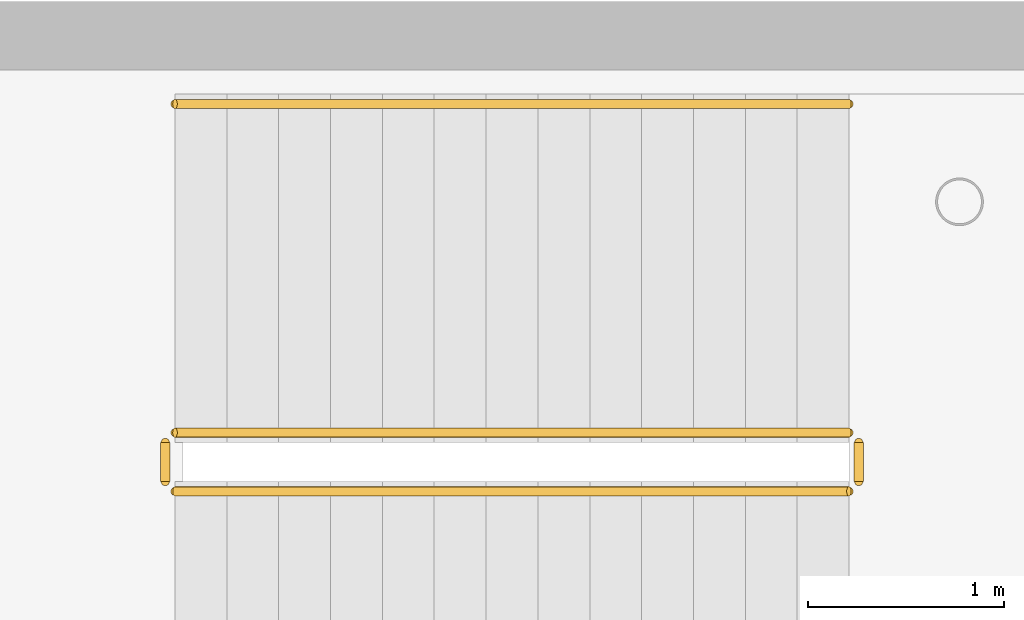
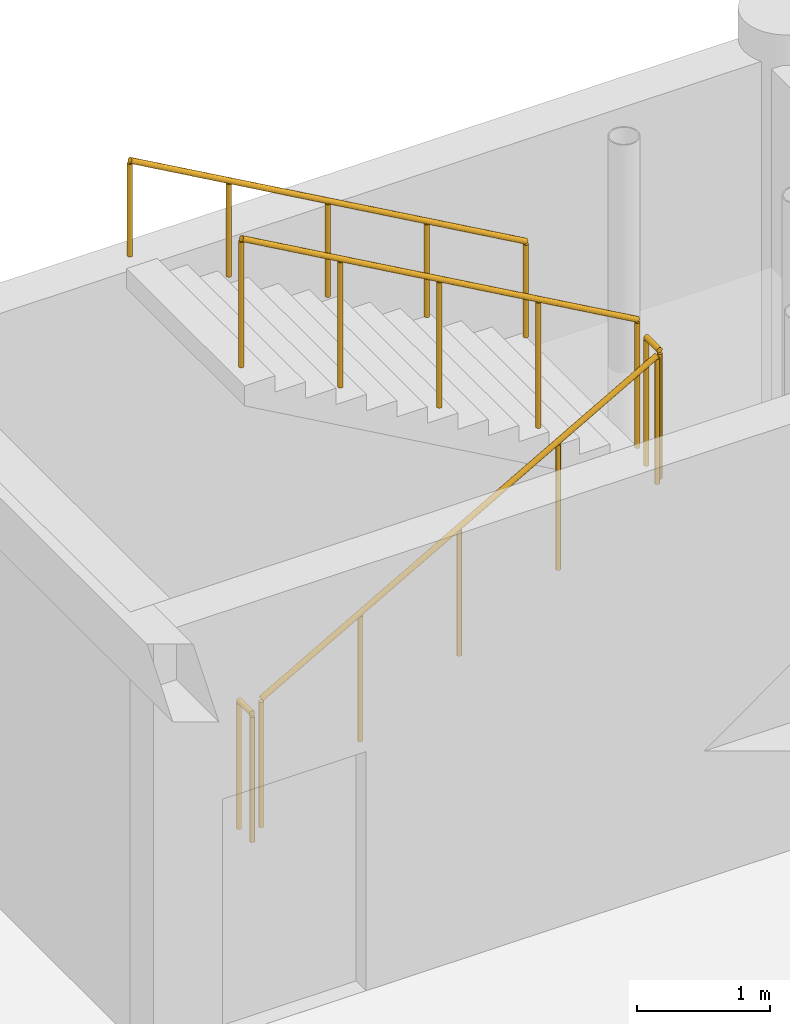
# One storey, part 191 of 195: 5 railings.
"""IFC4 building model written with IfcOpenShell, lengths in metres."""

from ifc_helpers import new_model, si_unit, direction, frame, origin, origin_2d, place, context, subcontext, project, spatial, circle, extrude, material, type_object, element, save


model = new_model("IFC4")

# Units and contexts
model_context = context("Model", 3, precision=1e-05, world=origin(), true_north=direction((0.0, 1.0)))
body_context = subcontext(model_context, "Body", "Model", "MODEL_VIEW")
ifc_project = project(units=[si_unit("LENGTHUNIT", "METRE"), si_unit("AREAUNIT", "SQUARE_METRE"), si_unit("VOLUMEUNIT", "CUBIC_METRE"), si_unit("PLANEANGLEUNIT", "RADIAN"), si_unit("MASSUNIT", "GRAM", prefix="KILO")], contexts=[model_context])

# Site, building, storey
site_placement = place(None, origin())
site = spatial("IfcSite", under=ifc_project, at=site_placement, CompositionType="ELEMENT")
building_placement = place(site_placement, origin())
building = spatial("IfcBuilding", under=site, at=building_placement, Name="Kharva Crest Polytechnic", CompositionType="ELEMENT")
storey_placement = place(building_placement, frame((0.0, 0.0, 9.0)))
storey = spatial("IfcBuildingStorey", under=building, at=storey_placement, Name="L02", CompositionType="ELEMENT", Elevation=9.0)

# Railings
ifc_material_1 = material(Name="Anodised aluminium", Category="aluminium")
railing_type_1 = type_object("IfcRailingType", Name="RL-STAIR-GUARD-1200", PredefinedType="GUARDRAIL", material=ifc_material_1)
railing_1_placement = place(storey_placement, frame((106.090087890625, 119.669921875, 0.14990234375)))
element("IfcRailing", 1, at=railing_1_placement, inside=storey, type_object=railing_type_1, Name="L02 ST-04 stair guard 1", PredefinedType="GUARDRAIL", context=body_context, shape_type="SweptSolid", body=[
    extrude(circle(Radius=0.02392578125, at=origin_2d()), frame((0.0, 0.0, 1.17578125), z_axis=(0.870224926921, 0.0, 0.492654621987), x_axis=(0.0, 1.0, 0.0)), (0.0, 0.0, 1.0), 3.95849609375),
    extrude(circle(Radius=0.02099609375, at=origin_2d()), origin(), (0.0, 0.0, 1.0), 1.15185546875),
    extrude(circle(Radius=0.02099609375, at=origin_2d()), frame((0.861328125, 0.0, 0.487548828125)), (0.0, 0.0, 1.0), 1.15185546875),
    extrude(circle(Radius=0.02099609375, at=origin_2d()), frame((1.722412109375, 0.0, 0.97509765625)), (0.0, 0.0, 1.0), 1.15185546875),
    extrude(circle(Radius=0.02099609375, at=origin_2d()), frame((2.58349609375, 0.0, 1.462646484375)), (0.0, 0.0, 1.0), 1.15185546875),
    extrude(circle(Radius=0.02099609375, at=origin_2d()), frame((3.44482421875, 0.0, 1.9501953125)), (0.0, 0.0, 1.0), 1.15185546875),
])
railing_2_placement = place(storey_placement, frame((109.5849609375, 119.719970703125, 2.10009765625)))
element("IfcRailing", 2, at=railing_2_placement, inside=storey, type_object=railing_type_1, Name="L02 ST-04 stair guard 2", PredefinedType="GUARDRAIL", context=body_context, shape_type="SweptSolid", body=[
    extrude(circle(Radius=0.02392578125, at=origin_2d()), frame((0.0, 0.0, 1.17578125), z_axis=(0.0, 1.0, 0.0), x_axis=(-1.0, 0.0, 0.0)), (0.0, 0.0, 1.0), 0.199951171875),
    extrude(circle(Radius=0.02099609375, at=origin_2d()), origin(), (0.0, 0.0, 1.0), 1.15185546875),
    extrude(circle(Radius=0.02099609375, at=origin_2d()), frame((0.0, 0.199951171875, 0.0)), (0.0, 0.0, 1.0), 1.15185546875),
])
railing_3_placement = place(storey_placement, frame((109.534912109375, 119.969970703125, 2.25)))
element("IfcRailing", 3, at=railing_3_placement, inside=storey, type_object=railing_type_1, Name="L02 ST-04 stair guard 3", PredefinedType="GUARDRAIL", context=body_context, shape_type="SweptSolid", body=[
    extrude(circle(Radius=0.02392578125, at=origin_2d()), frame((0.0, 0.0, 1.17578125), z_axis=(-0.870251367514, 0.0, 0.492607914411), x_axis=(0.0, -1.0, 0.0)), (0.0, 0.0, 1.0), 3.95849609375),
    extrude(circle(Radius=0.02099609375, at=origin_2d()), origin(), (0.0, 0.0, 1.0), 1.15185546875),
    extrude(circle(Radius=0.02099609375, at=origin_2d()), frame((-0.861328125, 0.0, 0.487548828125)), (0.0, 0.0, 1.0), 1.15185546875),
    extrude(circle(Radius=0.02099609375, at=origin_2d()), frame((-1.722412109375, 0.0, 0.97509765625)), (0.0, 0.0, 1.0), 1.15185546875),
    extrude(circle(Radius=0.02099609375, at=origin_2d()), frame((-2.58349609375, 0.0, 1.46240234375)), (0.0, 0.0, 1.0), 1.15185546875),
    extrude(circle(Radius=0.02099609375, at=origin_2d()), frame((-3.44482421875, 0.0, 1.949951171875)), (0.0, 0.0, 1.0), 1.15185546875),
])
railing_4_placement = place(storey_placement, frame((106.0400390625, 119.719970703125, 0.0)))
element("IfcRailing", 4, at=railing_4_placement, inside=storey, type_object=railing_type_1, Name="L02 ST-04 stair guard 4", PredefinedType="GUARDRAIL", context=body_context, shape_type="SweptSolid", body=[
    extrude(circle(Radius=0.02392578125, at=origin_2d()), frame((0.0, 0.0, 1.17578125), z_axis=(0.0, 1.0, 0.0), x_axis=(-1.0, 0.0, 0.0)), (0.0, 0.0, 1.0), 0.199951171875),
    extrude(circle(Radius=0.02099609375, at=origin_2d()), origin(), (0.0, 0.0, 1.0), 1.15185546875),
    extrude(circle(Radius=0.02099609375, at=origin_2d()), frame((0.0, 0.199951171875, 0.0)), (0.0, 0.0, 1.0), 1.15185546875),
])
ifc_material_2 = material(Name="Teak timber", Category="wood")
railing_type_2 = type_object("IfcRailingType", Name="RL-STAIR-HAND-900", PredefinedType="HANDRAIL", material=ifc_material_2)
railing_5_placement = place(storey_placement, frame((109.534912109375, 121.64990234375, 2.25)))
element("IfcRailing", 5, at=railing_5_placement, inside=storey, type_object=railing_type_2, Name="L02 ST-04 stair handrail 2", PredefinedType="HANDRAIL", context=body_context, shape_type="SweptSolid", body=[
    extrude(circle(Radius=0.02392578125, at=origin_2d()), frame((0.0, 0.0, 0.8759765625), z_axis=(-0.870251367514, 0.0, 0.492607914411), x_axis=(0.0, -1.0, 0.0)), (0.0, 0.0, 1.0), 3.95849609375),
    extrude(circle(Radius=0.02099609375, at=origin_2d()), origin(), (0.0, 0.0, 1.0), 0.851806640625),
    extrude(circle(Radius=0.02099609375, at=origin_2d()), frame((-0.861328125, 0.0, 0.487548828125)), (0.0, 0.0, 1.0), 0.851806640625),
    extrude(circle(Radius=0.02099609375, at=origin_2d()), frame((-1.722412109375, 0.0, 0.97509765625)), (0.0, 0.0, 1.0), 0.851806640625),
    extrude(circle(Radius=0.02099609375, at=origin_2d()), frame((-2.58349609375, 0.0, 1.46240234375)), (0.0, 0.0, 1.0), 0.851806640625),
    extrude(circle(Radius=0.02099609375, at=origin_2d()), frame((-3.44482421875, 0.0, 1.949951171875)), (0.0, 0.0, 1.0), 0.851806640625),
])

save(model, "model.ifc")
